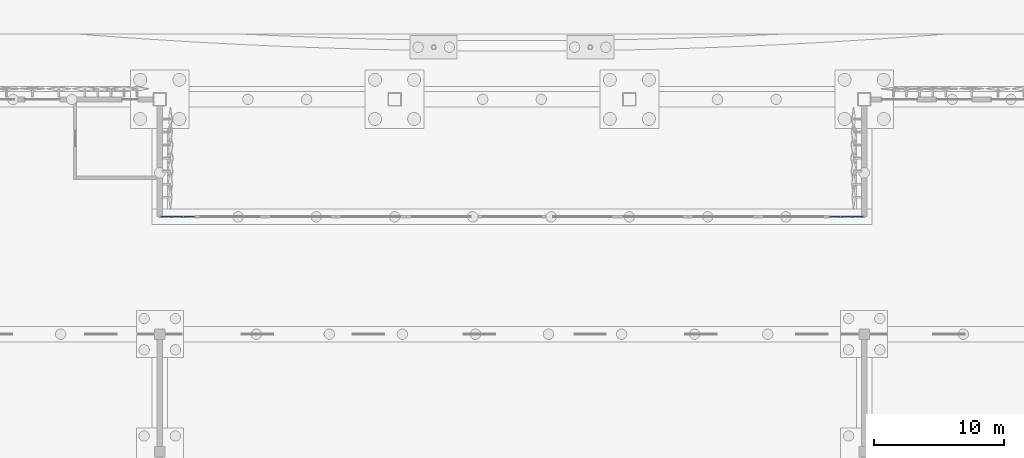
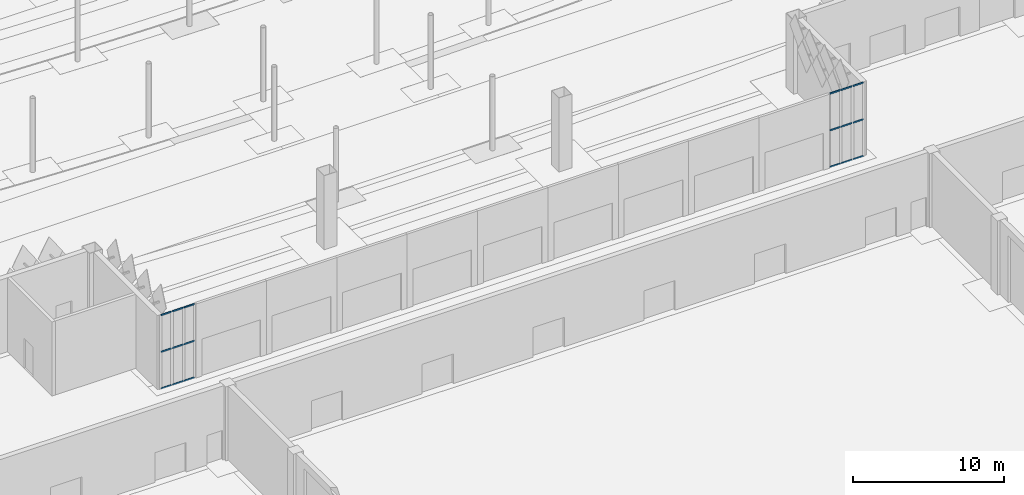
# One storey, part 64 of 198: 18 members, 2 elements without a shape of their own.
"""IFC4 building model written with IfcOpenShell, lengths in metres."""

from ifc_helpers import new_model, si_unit, direction, frame, origin, origin_2d, place, context, subcontext, project, spatial, hollow_rectangle, extrude, material, layer, layer_set, material_profile, profile_set, type_object, element, aggregate, save


model = new_model("IFC4")

# Units and contexts
model_context = context("Model", 3, precision=1e-05, world=origin(), true_north=direction((0.0, 1.0)))
body_context = subcontext(model_context, "Body", "Model", "MODEL_VIEW")
ifc_project = project(units=[si_unit("LENGTHUNIT", "METRE"), si_unit("AREAUNIT", "SQUARE_METRE"), si_unit("VOLUMEUNIT", "CUBIC_METRE"), si_unit("PLANEANGLEUNIT", "RADIAN"), si_unit("MASSUNIT", "GRAM", prefix="KILO")], contexts=[model_context])

# Site, building, storey
site_placement = place(None, origin())
site = spatial("IfcSite", under=ifc_project, at=site_placement, CompositionType="ELEMENT")
building_placement = place(site_placement, origin())
building = spatial("IfcBuilding", under=site, at=building_placement, Name="Opaline Strait Convention Centre", CompositionType="ELEMENT")
storey_placement = place(building_placement, origin())
storey = spatial("IfcBuildingStorey", under=building, at=storey_placement, Name="L00", CompositionType="ELEMENT", Elevation=0.0)

# Curtain wall, members
ifc_material_1 = material(Name="Aluminium framed glazing", Category="aluminium")
ifc_layer = layer(ifc_material_1, 0.199951171875)
ifc_layer_set = layer_set([ifc_layer], Name="Aluminium framed glazing")
curtain_wall_type = type_object("IfcCurtainWallType", Name="Entrance curtain wall 1500", PredefinedType="NOTDEFINED", material=ifc_layer_set)
curtain_wall_1_placement = place(storey_placement, origin())
curtain_wall_1 = element("IfcCurtainWall", 1, at=curtain_wall_1_placement, inside=storey, type_object=curtain_wall_type, Name="Entrance curtain wall L00-E1", PredefinedType="NOTDEFINED")
ifc_material_2 = material(Name="Aluminium alloy 6063", Category="aluminium")
ifc_material_profile = material_profile(ifc_material_2, hollow_rectangle(XDim=0.06005859375, YDim=0.1201171875, WallThickness=0.0029296875, at=origin_2d()), Name="TRANSOM 60x120x3")
ifc_profile_set = profile_set([ifc_material_profile], Name="Aluminium alloy 6063")
member_type = type_object("IfcMemberType", Name="Curtain wall transom 60 x 120", PredefinedType="USERDEFINED", material=ifc_profile_set)
member_1_placement = place(storey_placement, frame((153.06005859375, 144.0, 0.030029296875), z_axis=(1.0, 0.0, 0.0), x_axis=(0.0, 1.0, 0.0)))
member_1 = element("IfcMember", 2, at=member_1_placement, type_object=member_type, Name="XCW transom 1.1", ObjectType="TRANSOM", PredefinedType="USERDEFINED", context=body_context, shape_type="SweptSolid", body=[
    extrude(hollow_rectangle(XDim=0.06005859375, YDim=0.1201171875, WallThickness=0.0029296875, at=origin_2d()), origin(), (0.0, 0.0, 1.0), 0.81005859375),
])
member_2_placement = place(storey_placement, frame((153.06005859375, 144.0, 3.0), z_axis=(1.0, 0.0, 0.0), x_axis=(0.0, 1.0, 0.0)))
member_2 = element("IfcMember", 3, at=member_2_placement, type_object=member_type, Name="XCW transom 1.2", ObjectType="TRANSOM", PredefinedType="USERDEFINED", context=body_context, shape_type="SweptSolid", body=[
    extrude(hollow_rectangle(XDim=0.06005859375, YDim=0.1201171875, WallThickness=0.0029296875, at=origin_2d()), origin(), (0.0, 0.0, 1.0), 0.81005859375),
])
member_3_placement = place(storey_placement, frame((153.06005859375, 144.0, 5.969970703125), z_axis=(1.0, 0.0, 0.0), x_axis=(0.0, 1.0, 0.0)))
member_3 = element("IfcMember", 4, at=member_3_placement, type_object=member_type, Name="XCW transom 1.3", ObjectType="TRANSOM", PredefinedType="USERDEFINED", context=body_context, shape_type="SweptSolid", body=[
    extrude(hollow_rectangle(XDim=0.06005859375, YDim=0.1201171875, WallThickness=0.0029296875, at=origin_2d()), origin(), (0.0, 0.0, 1.0), 0.81005859375),
])
member_4_placement = place(storey_placement, frame((153.929931640625, 144.0, 0.030029296875), z_axis=(1.0, 0.0, 0.0), x_axis=(0.0, 1.0, 0.0)))
member_4 = element("IfcMember", 5, at=member_4_placement, type_object=member_type, Name="XCW transom 2.1", ObjectType="TRANSOM", PredefinedType="USERDEFINED", context=body_context, shape_type="SweptSolid", body=[
    extrude(hollow_rectangle(XDim=0.06005859375, YDim=0.1201171875, WallThickness=0.0029296875, at=origin_2d()), origin(), (0.0, 0.0, 1.0), 0.840087890625),
])
member_5_placement = place(storey_placement, frame((153.929931640625, 144.0, 3.0), z_axis=(1.0, 0.0, 0.0), x_axis=(0.0, 1.0, 0.0)))
member_5 = element("IfcMember", 6, at=member_5_placement, type_object=member_type, Name="XCW transom 2.2", ObjectType="TRANSOM", PredefinedType="USERDEFINED", context=body_context, shape_type="SweptSolid", body=[
    extrude(hollow_rectangle(XDim=0.06005859375, YDim=0.1201171875, WallThickness=0.0029296875, at=origin_2d()), origin(), (0.0, 0.0, 1.0), 0.840087890625),
])
member_6_placement = place(storey_placement, frame((153.929931640625, 144.0, 5.969970703125), z_axis=(1.0, 0.0, 0.0), x_axis=(0.0, 1.0, 0.0)))
member_6 = element("IfcMember", 7, at=member_6_placement, type_object=member_type, Name="XCW transom 2.3", ObjectType="TRANSOM", PredefinedType="USERDEFINED", context=body_context, shape_type="SweptSolid", body=[
    extrude(hollow_rectangle(XDim=0.06005859375, YDim=0.1201171875, WallThickness=0.0029296875, at=origin_2d()), origin(), (0.0, 0.0, 1.0), 0.840087890625),
])
member_7_placement = place(storey_placement, frame((154.830078125, 144.0, 0.030029296875), z_axis=(1.0, 0.0, 0.0), x_axis=(0.0, 1.0, 0.0)))
member_7 = element("IfcMember", 8, at=member_7_placement, type_object=member_type, Name="XCW transom 3.1", ObjectType="TRANSOM", PredefinedType="USERDEFINED", context=body_context, shape_type="SweptSolid", body=[
    extrude(hollow_rectangle(XDim=0.06005859375, YDim=0.1201171875, WallThickness=0.0029296875, at=origin_2d()), origin(), (0.0, 0.0, 1.0), 0.809814453125),
])
member_8_placement = place(storey_placement, frame((154.830078125, 144.0, 3.0), z_axis=(1.0, 0.0, 0.0), x_axis=(0.0, 1.0, 0.0)))
member_8 = element("IfcMember", 9, at=member_8_placement, type_object=member_type, Name="XCW transom 3.2", ObjectType="TRANSOM", PredefinedType="USERDEFINED", context=body_context, shape_type="SweptSolid", body=[
    extrude(hollow_rectangle(XDim=0.06005859375, YDim=0.1201171875, WallThickness=0.0029296875, at=origin_2d()), origin(), (0.0, 0.0, 1.0), 0.809814453125),
])
member_9_placement = place(storey_placement, frame((154.830078125, 144.0, 5.969970703125), z_axis=(1.0, 0.0, 0.0), x_axis=(0.0, 1.0, 0.0)))
member_9 = element("IfcMember", 10, at=member_9_placement, type_object=member_type, Name="XCW transom 3.3", ObjectType="TRANSOM", PredefinedType="USERDEFINED", context=body_context, shape_type="SweptSolid", body=[
    extrude(hollow_rectangle(XDim=0.06005859375, YDim=0.1201171875, WallThickness=0.0029296875, at=origin_2d()), origin(), (0.0, 0.0, 1.0), 0.809814453125),
])
aggregate(curtain_wall_1, [member_1, member_2, member_3, member_4, member_5, member_6, member_7, member_8, member_9])

curtain_wall_2_placement = place(storey_placement, origin())
curtain_wall_2 = element("IfcCurtainWall", 11, at=curtain_wall_2_placement, inside=storey, type_object=curtain_wall_type, Name="Entrance curtain wall L00-E2", PredefinedType="NOTDEFINED")
member_10_placement = place(storey_placement, frame((204.360107421875, 144.0, 0.030029296875), z_axis=(1.0, 0.0, 0.0), x_axis=(0.0, 1.0, 0.0)))
member_10 = element("IfcMember", 12, at=member_10_placement, type_object=member_type, Name="XCW transom 1.1", ObjectType="TRANSOM", PredefinedType="USERDEFINED", context=body_context, shape_type="SweptSolid", body=[
    extrude(hollow_rectangle(XDim=0.06005859375, YDim=0.1201171875, WallThickness=0.0029296875, at=origin_2d()), origin(), (0.0, 0.0, 1.0), 0.809814453125),
])
member_11_placement = place(storey_placement, frame((204.360107421875, 144.0, 3.0), z_axis=(1.0, 0.0, 0.0), x_axis=(0.0, 1.0, 0.0)))
member_11 = element("IfcMember", 13, at=member_11_placement, type_object=member_type, Name="XCW transom 1.2", ObjectType="TRANSOM", PredefinedType="USERDEFINED", context=body_context, shape_type="SweptSolid", body=[
    extrude(hollow_rectangle(XDim=0.06005859375, YDim=0.1201171875, WallThickness=0.0029296875, at=origin_2d()), origin(), (0.0, 0.0, 1.0), 0.809814453125),
])
member_12_placement = place(storey_placement, frame((204.360107421875, 144.0, 5.969970703125), z_axis=(1.0, 0.0, 0.0), x_axis=(0.0, 1.0, 0.0)))
member_12 = element("IfcMember", 14, at=member_12_placement, type_object=member_type, Name="XCW transom 1.3", ObjectType="TRANSOM", PredefinedType="USERDEFINED", context=body_context, shape_type="SweptSolid", body=[
    extrude(hollow_rectangle(XDim=0.06005859375, YDim=0.1201171875, WallThickness=0.0029296875, at=origin_2d()), origin(), (0.0, 0.0, 1.0), 0.809814453125),
])
member_13_placement = place(storey_placement, frame((205.22998046875, 144.0, 0.030029296875), z_axis=(1.0, 0.0, 0.0), x_axis=(0.0, 1.0, 0.0)))
member_13 = element("IfcMember", 15, at=member_13_placement, type_object=member_type, Name="XCW transom 2.1", ObjectType="TRANSOM", PredefinedType="USERDEFINED", context=body_context, shape_type="SweptSolid", body=[
    extrude(hollow_rectangle(XDim=0.06005859375, YDim=0.1201171875, WallThickness=0.0029296875, at=origin_2d()), origin(), (0.0, 0.0, 1.0), 0.840087890625),
])
member_14_placement = place(storey_placement, frame((205.22998046875, 144.0, 3.0), z_axis=(1.0, 0.0, 0.0), x_axis=(0.0, 1.0, 0.0)))
member_14 = element("IfcMember", 16, at=member_14_placement, type_object=member_type, Name="XCW transom 2.2", ObjectType="TRANSOM", PredefinedType="USERDEFINED", context=body_context, shape_type="SweptSolid", body=[
    extrude(hollow_rectangle(XDim=0.06005859375, YDim=0.1201171875, WallThickness=0.0029296875, at=origin_2d()), origin(), (0.0, 0.0, 1.0), 0.840087890625),
])
member_15_placement = place(storey_placement, frame((205.22998046875, 144.0, 5.969970703125), z_axis=(1.0, 0.0, 0.0), x_axis=(0.0, 1.0, 0.0)))
member_15 = element("IfcMember", 17, at=member_15_placement, type_object=member_type, Name="XCW transom 2.3", ObjectType="TRANSOM", PredefinedType="USERDEFINED", context=body_context, shape_type="SweptSolid", body=[
    extrude(hollow_rectangle(XDim=0.06005859375, YDim=0.1201171875, WallThickness=0.0029296875, at=origin_2d()), origin(), (0.0, 0.0, 1.0), 0.840087890625),
])
member_16_placement = place(storey_placement, frame((206.1298828125, 144.0, 0.030029296875), z_axis=(1.0, 0.0, 0.0), x_axis=(0.0, 1.0, 0.0)))
member_16 = element("IfcMember", 18, at=member_16_placement, type_object=member_type, Name="XCW transom 3.1", ObjectType="TRANSOM", PredefinedType="USERDEFINED", context=body_context, shape_type="SweptSolid", body=[
    extrude(hollow_rectangle(XDim=0.06005859375, YDim=0.1201171875, WallThickness=0.0029296875, at=origin_2d()), origin(), (0.0, 0.0, 1.0), 0.81005859375),
])
member_17_placement = place(storey_placement, frame((206.1298828125, 144.0, 3.0), z_axis=(1.0, 0.0, 0.0), x_axis=(0.0, 1.0, 0.0)))
member_17 = element("IfcMember", 19, at=member_17_placement, type_object=member_type, Name="XCW transom 3.2", ObjectType="TRANSOM", PredefinedType="USERDEFINED", context=body_context, shape_type="SweptSolid", body=[
    extrude(hollow_rectangle(XDim=0.06005859375, YDim=0.1201171875, WallThickness=0.0029296875, at=origin_2d()), origin(), (0.0, 0.0, 1.0), 0.81005859375),
])
member_18_placement = place(storey_placement, frame((206.1298828125, 144.0, 5.969970703125), z_axis=(1.0, 0.0, 0.0), x_axis=(0.0, 1.0, 0.0)))
member_18 = element("IfcMember", 20, at=member_18_placement, type_object=member_type, Name="XCW transom 3.3", ObjectType="TRANSOM", PredefinedType="USERDEFINED", context=body_context, shape_type="SweptSolid", body=[
    extrude(hollow_rectangle(XDim=0.06005859375, YDim=0.1201171875, WallThickness=0.0029296875, at=origin_2d()), origin(), (0.0, 0.0, 1.0), 0.81005859375),
])
aggregate(curtain_wall_2, [member_10, member_11, member_12, member_13, member_14, member_15, member_16, member_17, member_18])

save(model, "model.ifc")
